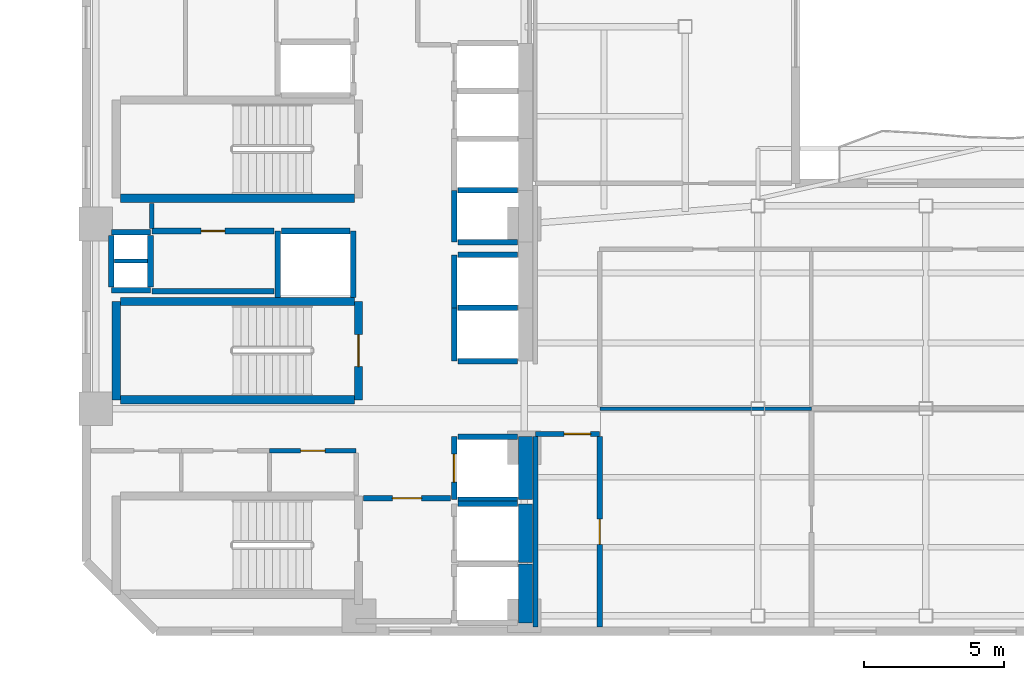
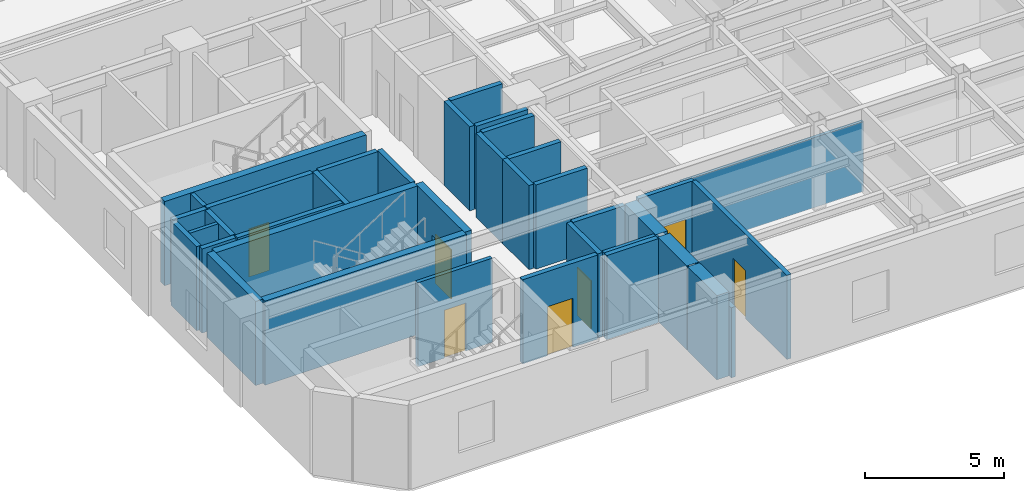
# One storey, part 3 of 10: 37 walls, 7 doors, 7 openings.
"""IFC4 building model written with IfcOpenShell, lengths in metres."""

from ifc_helpers import new_model, si_unit, direction, frame, frame_2d, origin, place, context, subcontext, project, spatial, rectangle, extrude, material, layer, layer_set, type_object, element, fill, save


model = new_model("IFC4")

# Units and contexts
model_context = context("Model", 3, precision=1e-05, world=origin(), true_north=direction((0.0, 1.0)))
body_context = subcontext(model_context, "Body", "Model", "MODEL_VIEW")
ifc_project = project(units=[si_unit("LENGTHUNIT", "METRE"), si_unit("AREAUNIT", "SQUARE_METRE"), si_unit("VOLUMEUNIT", "CUBIC_METRE"), si_unit("PLANEANGLEUNIT", "RADIAN"), si_unit("MASSUNIT", "GRAM", prefix="KILO")], contexts=[model_context])

# Site, building, storey
site_placement = place(None, origin())
site = spatial("IfcSite", under=ifc_project, at=site_placement, CompositionType="ELEMENT")
building_placement = place(site_placement, origin())
building = spatial("IfcBuilding", under=site, at=building_placement, Name="Mawjaban Terraces University", CompositionType="ELEMENT")
storey_placement = place(building_placement, frame((0.0, 0.0, 122.89990234375)))
storey = spatial("IfcBuildingStorey", under=building, at=storey_placement, Name="L29", CompositionType="ELEMENT", Elevation=122.89990234375)

# Wall, opening, door
ifc_material_1 = material(Name="Acoustic masonry blockwork", Category="masonry")
ifc_layer_1 = layer(ifc_material_1, 0.179931640625)
ifc_layer_set_1 = layer_set([ifc_layer_1], Name="Acoustic masonry blockwork")
wall_type_1 = type_object("IfcWallType", Name="AcousticStudioWall_180", PredefinedType="PARTITIONING", material=ifc_layer_set_1)
wall_1_placement = place(storey_placement, frame((38.050048828125, 7.050048828125, 0.0), z_axis=(0.0, 0.0, 1.0), x_axis=(1.0, 0.0, 0.0)))
wall_1 = element("IfcWall", 1, at=wall_1_placement, inside=storey, type_object=wall_type_1, Name="L29 Inner Gallery Link Corridor Partition 15", PredefinedType="PARTITIONING", context=body_context, shape_type="SweptSolid", body=[
    extrude(rectangle(XDim=2.300048828125, YDim=0.179931640625, at=frame_2d((1.14990234375, 0.0))), origin(), (0.0, 0.0, 1.0), 3.690185546875),
])
opening_1_placement = place(wall_1_placement, frame((1.02490234375, 0.0, 0.0)))
opening_1 = element("IfcOpeningElement", 2, at=opening_1_placement, cuts=wall_1, Name="Opening ID-095", PredefinedType="OPENING", context=body_context, shape_type="SweptSolid", body=[
    extrude(rectangle(XDim=0.949951171875, YDim=2.10009765625, at=frame_2d((0.47509765625, 1.050048828125))), frame((0.0, 0.099853515625, 0.0), z_axis=(0.0, -1.0, 0.0), x_axis=(1.0, 0.0, 0.0)), (0.0, 0.0, 1.0), 0.199951171875),
])
ifc_material_2 = material(Name="Powder-coated steel frame and solid acoustic timber leaf", Category="steel")
door_type_1 = type_object("IfcDoorType", Name="StudioDoor_950x2100", OperationType="NOTDEFINED", PredefinedType="DOOR", material=ifc_material_2)
door_1_placement = place(opening_1_placement, origin())
door_1 = element("IfcDoor", 3, at=door_1_placement, inside=storey, type_object=door_type_1, Name="L29 Media Workshop 1 Door", OperationType="SINGLE_SWING_LEFT", OverallHeight=2.10009765625, OverallWidth=0.949951171875, PredefinedType="DOOR", context=body_context, shape_type="SweptSolid", body=[
    extrude(rectangle(XDim=0.949951171875, YDim=2.10009765625, at=frame_2d((0.47509765625, 1.050048828125))), frame((0.0, 0.02490234375, 0.0), z_axis=(0.0, -1.0, 0.0), x_axis=(1.0, 0.0, 0.0)), (0.0, 0.0, 1.0), 0.050048828125),
])
fill(opening_1, door_1)

# Wall
wall_2_placement = place(storey_placement, frame((38.050048828125, 6.965087890625, 0.0), z_axis=(0.0, 0.0, 1.0), x_axis=(0.0, -1.0, 0.0)))
element("IfcWall", 4, at=wall_2_placement, inside=storey, type_object=wall_type_1, Name="L29 Media Workshop 1 Partition 39", PredefinedType="PARTITIONING", context=body_context, shape_type="SweptSolid", body=[
    extrude(rectangle(XDim=6.820068359375, YDim=0.179931640625, at=frame_2d((3.41015625, 0.0))), origin(), (0.0, 0.0, 1.0), 3.072998046875),
])

# Wall, opening, door
wall_3_placement = place(storey_placement, frame((40.35009765625, 0.14501953125, 0.0), z_axis=(0.0, 0.0, 1.0), x_axis=(0.0, 1.0, 0.0)))
wall_3 = element("IfcWall", 5, at=wall_3_placement, inside=storey, type_object=wall_type_1, Name="L29 Media Workshop 1 Partition 42", PredefinedType="PARTITIONING", context=body_context, shape_type="SweptSolid", body=[
    extrude(rectangle(XDim=6.820068359375, YDim=0.179931640625, at=frame_2d((3.41015625, 0.0))), origin(), (0.0, 0.0, 1.0), 3.690185546875),
])
opening_2_placement = place(wall_3_placement, frame((2.9599609375, 0.0, 0.0)))
opening_2 = element("IfcOpeningElement", 6, at=opening_2_placement, cuts=wall_3, Name="Opening ID-090", PredefinedType="OPENING", context=body_context, shape_type="SweptSolid", body=[
    extrude(rectangle(XDim=0.89990234375, YDim=2.10009765625, at=frame_2d((0.449951171875, 1.050048828125))), frame((0.0, 0.099853515625, 0.0), z_axis=(0.0, -1.0, 0.0), x_axis=(1.0, 0.0, 0.0)), (0.0, 0.0, 1.0), 0.199951171875),
])
door_type_2 = type_object("IfcDoorType", Name="OfficeDoor_900x2100", OperationType="NOTDEFINED", PredefinedType="DOOR", material=ifc_material_2)
door_2_placement = place(opening_2_placement, origin())
door_2 = element("IfcDoor", 7, at=door_2_placement, inside=storey, type_object=door_type_2, Name="L29 Quiet Reading Room 2 Door", OperationType="SINGLE_SWING_RIGHT", OverallHeight=2.10009765625, OverallWidth=0.89990234375, PredefinedType="DOOR", context=body_context, shape_type="SweptSolid", body=[
    extrude(rectangle(XDim=0.89990234375, YDim=2.10009765625, at=frame_2d((0.449951171875, 1.050048828125))), frame((0.0, 0.02490234375, 0.0), z_axis=(0.0, -1.0, 0.0), x_axis=(1.0, 0.0, 0.0)), (0.0, 0.0, 1.0), 0.050048828125),
])
fill(opening_2, door_2)

# Walls
ifc_material_3 = material(Name="Concrete C60/75", Category="concrete")
ifc_layer_2 = layer(ifc_material_3, 0.5)
ifc_layer_set_2 = layer_set([ifc_layer_2], Name="Concrete C60/75")
wall_type_2 = type_object("IfcWallType", Name="CoreShearWall_500", PredefinedType="SHEAR", material=ifc_layer_set_2)
wall_4_placement = place(storey_placement, frame((37.699951171875, 0.300048828125, 0.0), z_axis=(0.0, 0.0, 1.0), x_axis=(0.0, 1.0, 0.0)))
element("IfcWall", 8, at=wall_4_placement, inside=storey, type_object=wall_type_2, Name="L29 Lift FL-1 Hoistway Wall East", PredefinedType="SHEAR", context=body_context, shape_type="SweptSolid", body=[
    extrude(rectangle(XDim=2.099853515625, YDim=0.5, at=frame_2d((1.0498046875, 0.0))), origin(), (0.0, 0.0, 1.0), 3.690185546875),
])
wall_5_placement = place(storey_placement, frame((37.699951171875, 2.449951171875, 0.0), z_axis=(0.0, 0.0, 1.0), x_axis=(0.0, 1.0, 0.0)))
element("IfcWall", 9, at=wall_5_placement, inside=storey, type_object=wall_type_2, Name="L29 Lift FL-2 Hoistway Wall East", PredefinedType="SHEAR", context=body_context, shape_type="SweptSolid", body=[
    extrude(rectangle(XDim=2.10009765625, YDim=0.5, at=frame_2d((1.050048828125, 0.0))), origin(), (0.0, 0.0, 1.0), 3.690185546875),
])
wall_6_placement = place(storey_placement, frame((37.699951171875, 4.699951171875, 0.0), z_axis=(0.0, 0.0, 1.0), x_axis=(0.0, 1.0, 0.0)))
element("IfcWall", 10, at=wall_6_placement, inside=storey, type_object=wall_type_2, Name="L29 Lift SL-1 Hoistway Wall East", PredefinedType="SHEAR", context=body_context, shape_type="SweptSolid", body=[
    extrude(rectangle(XDim=2.25, YDim=0.5, at=frame_2d((1.125, 0.0))), origin(), (0.0, 0.0, 1.0), 3.690185546875),
])

# Wall, opening, door
ifc_material_4 = material(Name="Fire-rated gypsum board on steel stud", Category="steel")
ifc_layer_3 = layer(ifc_material_4, 0.159912109375)
ifc_layer_set_3 = layer_set([ifc_layer_3], Name="Fire-rated gypsum board on steel stud")
wall_type_3 = type_object("IfcWallType", Name="CorridorPartition_160", PredefinedType="PARTITIONING", material=ifc_layer_set_3)
wall_7_placement = place(storey_placement, frame((28.550048828125, 6.449951171875, 0.0), z_axis=(0.0, 0.0, 1.0), x_axis=(1.0, 0.0, 0.0)))
wall_7 = element("IfcWall", 11, at=wall_7_placement, inside=storey, type_object=wall_type_3, Name="L29 Core Washroom Lobby Partition 6", PredefinedType="PARTITIONING", context=body_context, shape_type="SweptSolid", body=[
    extrude(rectangle(XDim=3.099853515625, YDim=0.159912109375, at=frame_2d((1.5498046875, 0.0))), origin(), (0.0, 0.0, 1.0), 3.690185546875),
])
opening_3_placement = place(wall_7_placement, frame((1.110107421875, 0.0, 0.0)))
opening_3 = element("IfcOpeningElement", 12, at=opening_3_placement, cuts=wall_7, Name="Opening ID-088", PredefinedType="OPENING", context=body_context, shape_type="SweptSolid", body=[
    extrude(rectangle(XDim=0.8798828125, YDim=2.10009765625, at=frame_2d((0.43994140625, 1.050048828125))), frame((0.0, 0.08984375, 0.0), z_axis=(0.0, -1.0, 0.0), x_axis=(1.0, 0.0, 0.0)), (0.0, 0.0, 1.0), 0.179931640625),
])
door_type_3 = type_object("IfcDoorType", Name="ToiletDoor_880x2100", OperationType="NOTDEFINED", PredefinedType="DOOR", material=ifc_material_2)
door_3_placement = place(opening_3_placement, origin())
door_3 = element("IfcDoor", 13, at=door_3_placement, inside=storey, type_object=door_type_3, Name="L29 Accessible Toilet Door", OperationType="SINGLE_SWING_LEFT", OverallHeight=2.10009765625, OverallWidth=0.8798828125, PredefinedType="DOOR", context=body_context, shape_type="SweptSolid", body=[
    extrude(rectangle(XDim=0.8798828125, YDim=2.10009765625, at=frame_2d((0.43994140625, 1.050048828125))), frame((0.0, 0.02490234375, 0.0), z_axis=(0.0, -1.0, 0.0), x_axis=(1.0, 0.0, 0.0)), (0.0, 0.0, 1.0), 0.050048828125),
])
fill(opening_3, door_3)

# Walls
wall_8_placement = place(storey_placement, frame((24.35009765625, 15.2900390625, 0.0), z_axis=(0.0, 0.0, 1.0), x_axis=(0.0, -1.0, 0.0)))
element("IfcWall", 14, at=wall_8_placement, inside=storey, type_object=wall_type_3, Name="L29 Core Riser Access Passage Partition 26", PredefinedType="PARTITIONING", context=body_context, shape_type="SweptSolid", body=[
    extrude(rectangle(XDim=0.89501953125, YDim=0.159912109375, at=frame_2d((0.447509765625, 0.0))), origin(), (0.0, 0.0, 1.0), 3.690185546875),
])
ifc_material_5 = material(Name="Concrete C40/50", Category="concrete")
ifc_layer_4 = layer(ifc_material_5, 0.199951171875)
ifc_layer_set_4 = layer_set([ifc_layer_4], Name="Concrete C40/50")
wall_type_4 = type_object("IfcWallType", Name="FireLobbyWall_200", PredefinedType="SOLIDWALL", material=ifc_layer_set_4)
wall_9_placement = place(storey_placement, frame((37.419921875, 4.550048828125, 0.0), z_axis=(0.0, 0.0, 1.0), x_axis=(-1.0, 0.0, 0.0)))
element("IfcWall", 15, at=wall_9_placement, inside=storey, type_object=wall_type_4, Name="L29 Lift FL-2 Hoistway Wall North", PredefinedType="SOLIDWALL", context=body_context, shape_type="SweptSolid", body=[
    extrude(rectangle(XDim=2.139892578125, YDim=0.199951171875, at=frame_2d((1.06982421875, 0.0))), origin(), (0.0, 0.0, 1.0), 3.690185546875),
])

# Wall, opening, door
wall_10_placement = place(storey_placement, frame((35.14990234375, 6.949951171875, 0.0), z_axis=(0.0, 0.0, 1.0), x_axis=(0.0, -1.0, 0.0)))
wall_10 = element("IfcWall", 16, at=wall_10_placement, inside=storey, type_object=wall_type_4, Name="L29 Lift SL-1 Hoistway Wall West", PredefinedType="SOLIDWALL", context=body_context, shape_type="SweptSolid", body=[
    extrude(rectangle(XDim=2.25, YDim=0.199951171875, at=frame_2d((1.125, 0.0))), origin(), (0.0, 0.0, 1.0), 3.690185546875),
])
opening_4_placement = place(wall_10_placement, frame((0.625, 0.0, 0.0)))
opening_4 = element("IfcOpeningElement", 17, at=opening_4_placement, cuts=wall_10, Name="Opening LD-SL-1", PredefinedType="OPENING", context=body_context, shape_type="SweptSolid", body=[
    extrude(rectangle(XDim=1.0, YDim=2.10009765625, at=frame_2d((0.5, 1.050048828125))), frame((0.0, 0.10986328125, 0.0), z_axis=(0.0, -1.0, 0.0), x_axis=(1.0, 0.0, 0.0)), (0.0, 0.0, 1.0), 0.219970703125),
])
ifc_material_6 = material(Name="Powder-coated steel frame and fire-rated steel-faced leaf", Category="steel")
door_type_4 = type_object("IfcDoorType", Name="LiftLandingSliding_1000x2100", OperationType="NOTDEFINED", PredefinedType="DOOR", material=ifc_material_6)
door_4_placement = place(opening_4_placement, origin())
door_4 = element("IfcDoor", 18, at=door_4_placement, inside=storey, type_object=door_type_4, Name="L29 Lift SL-1 Sliding Landing Door", OperationType="DOUBLE_DOOR_SLIDING", OverallHeight=2.10009765625, OverallWidth=1.0, PredefinedType="DOOR", context=body_context, shape_type="SweptSolid", body=[
    extrude(rectangle(XDim=1.0, YDim=2.10009765625, at=frame_2d((0.5, 1.050048828125))), frame((0.0, 0.02490234375, 0.0), z_axis=(0.0, -1.0, 0.0), x_axis=(1.0, 0.0, 0.0)), (0.0, 0.0, 1.0), 0.050048828125),
])
fill(opening_4, door_4)

# Walls
for number, where, z_axis, x_axis, name in (
    (19, (35.280029296875, 4.699951171875, 0.0), (0.0, 0.0, 1.0), (1.0, 0.0, 0.0), "L29 Lift SL-1 Hoistway Wall South"),
    (20, (37.419921875, 6.949951171875, 0.0), (0.0, 0.0, 1.0), (-1.0, 0.0, 0.0), "L29 Lift SL-1 Hoistway Wall North"),
):
    element("IfcWall", number, at=place(storey_placement, frame(where, z_axis=z_axis, x_axis=x_axis)), inside=storey, type_object=wall_type_4, Name=name, PredefinedType="SOLIDWALL", context=body_context, shape_type="SweptSolid", body=[
        extrude(rectangle(XDim=2.139892578125, YDim=0.199951171875, at=frame_2d((1.06982421875, 0.0))), origin(), (0.0, 0.0, 1.0), 3.690185546875),
    ])
wall_11_placement = place(storey_placement, frame((35.14990234375, 11.550048828125, 0.0), z_axis=(0.0, 0.0, 1.0), x_axis=(0.0, -1.0, 0.0)))
element("IfcWall", 21, at=wall_11_placement, inside=storey, type_object=wall_type_4, Name="L29 Lift PL-H1 Hoistway Wall West", PredefinedType="SOLIDWALL", context=body_context, shape_type="SweptSolid", body=[
    extrude(rectangle(XDim=1.900146484375, YDim=0.199951171875, at=frame_2d((0.9501953125, 0.0))), origin(), (0.0, 0.0, 1.0), 3.690185546875),
])
for number, where, z_axis, x_axis, name in (
    (22, (35.280029296875, 9.64990234375, 0.0), (0.0, 0.0, 1.0), (1.0, 0.0, 0.0), "L29 Lift PL-H1 Hoistway Wall South"),
    (23, (37.419921875, 11.550048828125, 0.0), (0.0, 0.0, 1.0), (-1.0, 0.0, 0.0), "L29 Lift PL-H1 Hoistway Wall North"),
):
    element("IfcWall", number, at=place(storey_placement, frame(where, z_axis=z_axis, x_axis=x_axis)), inside=storey, type_object=wall_type_4, Name=name, PredefinedType="SOLIDWALL", context=body_context, shape_type="SweptSolid", body=[
        extrude(rectangle(XDim=2.139892578125, YDim=0.199951171875, at=frame_2d((1.06982421875, 0.0))), origin(), (0.0, 0.0, 1.0), 3.690185546875),
    ])
wall_12_placement = place(storey_placement, frame((35.14990234375, 13.449951171875, 0.0), z_axis=(0.0, 0.0, 1.0), x_axis=(0.0, -1.0, 0.0)))
element("IfcWall", 24, at=wall_12_placement, inside=storey, type_object=wall_type_4, Name="L29 Lift PL-H2 Hoistway Wall West", PredefinedType="SOLIDWALL", context=body_context, shape_type="SweptSolid", body=[
    extrude(rectangle(XDim=1.89990234375, YDim=0.199951171875, at=frame_2d((0.949951171875, 0.0))), origin(), (0.0, 0.0, 1.0), 3.690185546875),
])
wall_13_placement = place(storey_placement, frame((37.419921875, 13.449951171875, 0.0), z_axis=(0.0, 0.0, 1.0), x_axis=(-1.0, 0.0, 0.0)))
element("IfcWall", 25, at=wall_13_placement, inside=storey, type_object=wall_type_4, Name="L29 Lift PL-H2 Hoistway Wall North", PredefinedType="SOLIDWALL", context=body_context, shape_type="SweptSolid", body=[
    extrude(rectangle(XDim=2.139892578125, YDim=0.199951171875, at=frame_2d((1.06982421875, 0.0))), origin(), (0.0, 0.0, 1.0), 3.690185546875),
])
for number, where, z_axis, x_axis, name in (
    (26, (28.85009765625, 14.300048828125, 0.0), (0.0, 0.0, 1.0), (0.0, -1.0, 0.0), "L29 Lift PL-H3 Hoistway Wall West"),
    (27, (31.550048828125, 11.929931640625, 0.0), (0.0, 0.0, 1.0), (0.0, 1.0, 0.0), "L29 Lift PL-H3 Hoistway Wall East"),
):
    element("IfcWall", number, at=place(storey_placement, frame(where, z_axis=z_axis, x_axis=x_axis)), inside=storey, type_object=wall_type_4, Name=name, PredefinedType="SOLIDWALL", context=body_context, shape_type="SweptSolid", body=[
        extrude(rectangle(XDim=2.3701171875, YDim=0.199951171875, at=frame_2d((1.18505859375, 0.0))), origin(), (0.0, 0.0, 1.0), 3.690185546875),
    ])
wall_14_placement = place(storey_placement, frame((31.419921875, 14.300048828125, 0.0), z_axis=(0.0, 0.0, 1.0), x_axis=(-1.0, 0.0, 0.0)))
element("IfcWall", 28, at=wall_14_placement, inside=storey, type_object=wall_type_4, Name="L29 Lift PL-H3 Hoistway Wall North", PredefinedType="SOLIDWALL", context=body_context, shape_type="SweptSolid", body=[
    extrude(rectangle(XDim=2.43994140625, YDim=0.199951171875, at=frame_2d((1.219970703125, 0.0))), origin(), (0.0, 0.0, 1.0), 3.690185546875),
])
wall_15_placement = place(storey_placement, frame((35.14990234375, 15.75, 0.0), z_axis=(0.0, 0.0, 1.0), x_axis=(0.0, -1.0, 0.0)))
element("IfcWall", 29, at=wall_15_placement, inside=storey, type_object=wall_type_4, Name="L29 Lift OL-1 Hoistway Wall West", PredefinedType="SOLIDWALL", context=body_context, shape_type="SweptSolid", body=[
    extrude(rectangle(XDim=1.85009765625, YDim=0.199951171875, at=frame_2d((0.925048828125, 0.0))), origin(), (0.0, 0.0, 1.0), 3.690185546875),
])
for number, where, z_axis, x_axis, name in (
    (30, (35.280029296875, 13.89990234375, 0.0), (0.0, 0.0, 1.0), (1.0, 0.0, 0.0), "L29 Lift OL-1 Hoistway Wall South"),
    (31, (37.419921875, 15.75, 0.0), (0.0, 0.0, 1.0), (-1.0, 0.0, 0.0), "L29 Lift OL-1 Hoistway Wall North"),
):
    element("IfcWall", number, at=place(storey_placement, frame(where, z_axis=z_axis, x_axis=x_axis)), inside=storey, type_object=wall_type_4, Name=name, PredefinedType="SOLIDWALL", context=body_context, shape_type="SweptSolid", body=[
        extrude(rectangle(XDim=2.139892578125, YDim=0.199951171875, at=frame_2d((1.06982421875, 0.0))), origin(), (0.0, 0.0, 1.0), 3.690185546875),
    ])
for number, where, z_axis, x_axis, name in (
    (32, (22.89990234375, 14.25, 0.0), (0.0, 0.0, 1.0), (1.0, 0.0, 0.0), "L29 MEP Riser Shaft Wall N"),
    (33, (22.89990234375, 12.179931640625, 0.0), (0.0, 0.0, 1.0), (1.0, 0.0, 0.0), "L29 MEP Riser Shaft Wall S"),
):
    element("IfcWall", number, at=place(storey_placement, frame(where, z_axis=z_axis, x_axis=x_axis)), inside=storey, type_object=wall_type_4, Name=name, PredefinedType="SOLIDWALL", context=body_context, shape_type="SweptSolid", body=[
        extrude(rectangle(XDim=1.400146484375, YDim=0.199951171875, at=frame_2d((0.7001953125, 0.0))), origin(), (0.0, 0.0, 1.0), 3.690185546875),
    ])
for number, where, z_axis, x_axis, name in (
    (34, (24.300048828125, 12.300048828125, 0.0), (0.0, 0.0, 1.0), (0.0, 1.0, 0.0), "L29 MEP Riser Shaft Wall E"),
    (35, (22.89990234375, 12.300048828125, 0.0), (0.0, 0.0, 1.0), (0.0, 1.0, 0.0), "L29 MEP Riser Shaft Wall W"),
):
    element("IfcWall", number, at=place(storey_placement, frame(where, z_axis=z_axis, x_axis=x_axis)), inside=storey, type_object=wall_type_4, Name=name, PredefinedType="SOLIDWALL", context=body_context, shape_type="SweptSolid", body=[
        extrude(rectangle(XDim=1.829833984375, YDim=0.199951171875, at=frame_2d((0.9150390625, 0.0))), origin(), (0.0, 0.0, 1.0), 3.690185546875),
    ])
wall_16_placement = place(storey_placement, frame((24.35009765625, 12.14990234375, 0.0), z_axis=(0.0, 0.0, 1.0), x_axis=(1.0, 0.0, 0.0)))
element("IfcWall", 36, at=wall_16_placement, inside=storey, type_object=wall_type_4, Name="L29 IT and Telecoms Riser Room Partition 2", PredefinedType="SOLIDWALL", context=body_context, shape_type="SweptSolid", body=[
    extrude(rectangle(XDim=4.369873046875, YDim=0.199951171875, at=frame_2d((2.18505859375, 0.0))), origin(), (0.0, 0.0, 1.0), 3.690185546875),
])

# Wall, opening, door
wall_17_placement = place(storey_placement, frame((24.35009765625, 14.300048828125, 0.0), z_axis=(0.0, 0.0, 1.0), x_axis=(1.0, 0.0, 0.0)))
wall_17 = element("IfcWall", 37, at=wall_17_placement, inside=storey, type_object=wall_type_4, Name="L29 Core Riser Access Passage Partition 3", PredefinedType="SOLIDWALL", context=body_context, shape_type="SweptSolid", body=[
    extrude(rectangle(XDim=4.369873046875, YDim=0.199951171875, at=frame_2d((2.18505859375, 0.0))), origin(), (0.0, 0.0, 1.0), 3.690185546875),
])
opening_5_placement = place(wall_17_placement, frame((1.760009765625, 0.0, 0.0)))
opening_5 = element("IfcOpeningElement", 38, at=opening_5_placement, cuts=wall_17, Name="Opening FD-085", PredefinedType="OPENING", context=body_context, shape_type="SweptSolid", body=[
    extrude(rectangle(XDim=0.85009765625, YDim=2.10009765625, at=frame_2d((0.425048828125, 1.050048828125))), frame((0.0, 0.10986328125, 0.0), z_axis=(0.0, -1.0, 0.0), x_axis=(1.0, 0.0, 0.0)), (0.0, 0.0, 1.0), 0.219970703125),
])
door_type_5 = type_object("IfcDoorType", Name="FireRiserDoor_850x2100", OperationType="NOTDEFINED", PredefinedType="DOOR", material=ifc_material_6)
door_5_placement = place(opening_5_placement, origin())
door_5 = element("IfcDoor", 39, at=door_5_placement, inside=storey, type_object=door_type_5, Name="L29 IT and Telecoms Riser Room Door", OperationType="SINGLE_SWING_RIGHT", OverallHeight=2.10009765625, OverallWidth=0.85009765625, PredefinedType="DOOR", context=body_context, shape_type="SweptSolid", body=[
    extrude(rectangle(XDim=0.85009765625, YDim=2.10009765625, at=frame_2d((0.425048828125, 1.050048828125))), frame((0.0, 0.02490234375, 0.0), z_axis=(0.0, -1.0, 0.0), x_axis=(1.0, 0.0, 0.0)), (0.0, 0.0, 1.0), 0.050048828125),
])
fill(opening_5, door_5)

wall_18_placement = place(storey_placement, frame((35.02001953125, 4.75, 0.0), z_axis=(0.0, 0.0, 1.0), x_axis=(-1.0, 0.0, 0.0)))
wall_18 = element("IfcWall", 40, at=wall_18_placement, inside=storey, type_object=wall_type_4, Name="L29 Firefighting Lift Lobby Partition 10", PredefinedType="SOLIDWALL", context=body_context, shape_type="SweptSolid", body=[
    extrude(rectangle(XDim=3.110107421875, YDim=0.199951171875, at=frame_2d((1.55517578125, 0.0))), origin(), (0.0, 0.0, 1.0), 3.690185546875),
])
opening_6_placement = place(wall_18_placement, frame((1.030029296875, 0.0, 0.0)))
opening_6 = element("IfcOpeningElement", 41, at=opening_6_placement, cuts=wall_18, Name="Opening FD-105", PredefinedType="OPENING", context=body_context, shape_type="SweptSolid", body=[
    extrude(rectangle(XDim=1.050048828125, YDim=2.14990234375, at=frame_2d((0.52490234375, 1.074951171875))), frame((0.0, 0.10986328125, 0.0), z_axis=(0.0, -1.0, 0.0), x_axis=(1.0, 0.0, 0.0)), (0.0, 0.0, 1.0), 0.219970703125),
])
door_type_6 = type_object("IfcDoorType", Name="FireLobbyDoor_1050x2150", OperationType="NOTDEFINED", PredefinedType="DOOR", material=ifc_material_6)
door_6_placement = place(opening_6_placement, origin())
door_6 = element("IfcDoor", 42, at=door_6_placement, inside=storey, type_object=door_type_6, Name="L29 Firefighting Lift Lobby Door", OperationType="SINGLE_SWING_RIGHT", OverallHeight=2.14990234375, OverallWidth=1.050048828125, PredefinedType="DOOR", context=body_context, shape_type="SweptSolid", body=[
    extrude(rectangle(XDim=1.050048828125, YDim=2.14990234375, at=frame_2d((0.52490234375, 1.074951171875))), frame((0.0, 0.02490234375, 0.0), z_axis=(0.0, -1.0, 0.0), x_axis=(1.0, 0.0, 0.0)), (0.0, 0.0, 1.0), 0.050048828125),
])
fill(opening_6, door_6)

# Walls
ifc_material_7 = material(Name="Moisture-resistant gypsum board on steel stud", Category="steel")
ifc_layer_5 = layer(ifc_material_7, 0.14501953125)
ifc_layer_set_5 = layer_set([ifc_layer_5], Name="Moisture-resistant gypsum board on steel stud")
wall_type_5 = type_object("IfcWallType", Name="LabPartition_145", PredefinedType="PARTITIONING", material=ifc_layer_set_5)
wall_19_placement = place(storey_placement, frame((23.010009765625, 13.22509765625, 0.0), z_axis=(0.0, 0.0, 1.0), x_axis=(1.0, 0.0, 0.0)))
element("IfcWall", 43, at=wall_19_placement, inside=storey, type_object=wall_type_5, Name="L29 MEP Riser Shaft Wall M", PredefinedType="PARTITIONING", context=body_context, shape_type="SweptSolid", body=[
    extrude(rectangle(XDim=1.179931640625, YDim=0.14501953125, at=frame_2d((0.58984375, 0.0))), origin(), (0.0, 0.0, 1.0), 3.690185546875),
])
ifc_material_8 = material(Name="Gypsum plasterboard on steel stud", Category="steel")
ifc_layer_6 = layer(ifc_material_8, 0.125)
ifc_layer_set_6 = layer_set([ifc_layer_6], Name="Gypsum plasterboard on steel stud")
wall_type_6 = type_object("IfcWallType", Name="OfficePartition_125", PredefinedType="PARTITIONING", material=ifc_layer_set_6)
wall_20_placement = place(storey_placement, frame((47.909912109375, 7.949951171875, 0.0), z_axis=(0.0, 0.0, 1.0), x_axis=(-1.0, 0.0, 0.0)))
element("IfcWall", 44, at=wall_20_placement, inside=storey, type_object=wall_type_6, Name="L29 Quiet Reading Room 2 Partition 19", PredefinedType="PARTITIONING", context=body_context, shape_type="SweptSolid", body=[
    extrude(rectangle(XDim=7.559814453125, YDim=0.125, at=frame_2d((3.77978515625, 0.0))), origin(), (0.0, 0.0, 1.0), 3.072998046875),
])
ifc_layer_7 = layer(ifc_material_3, 0.300048828125)
ifc_layer_set_7 = layer_set([ifc_layer_7], Name="Concrete C60/75")
wall_type_7 = type_object("IfcWallType", Name="StairShaftWall_300", PredefinedType="SHEAR", material=ifc_layer_set_7)
for number, where, z_axis, x_axis, name in (
    (45, (23.219970703125, 15.469970703125, 0.0), (0.0, 0.0, 1.0), (1.0, 0.0, 0.0), "L29 ST-2 Stair Shaft Wall 3"),
    (46, (31.580078125, 11.780029296875, 0.0), (0.0, 0.0, 1.0), (-1.0, 0.0, 0.0), "L29 ST-3 Stair Shaft Wall 1"),
):
    element("IfcWall", number, at=place(storey_placement, frame(where, z_axis=z_axis, x_axis=x_axis)), inside=storey, type_object=wall_type_7, Name=name, PredefinedType="SHEAR", context=body_context, shape_type="SweptSolid", body=[
        extrude(rectangle(XDim=8.360107421875, YDim=0.300048828125, at=frame_2d((4.18017578125, 0.0))), origin(), (0.0, 0.0, 1.0), 3.690185546875),
    ])
wall_21_placement = place(storey_placement, frame((23.070068359375, 11.780029296875, 0.0), z_axis=(0.0, 0.0, 1.0), x_axis=(0.0, -1.0, 0.0)))
element("IfcWall", 47, at=wall_21_placement, inside=storey, type_object=wall_type_7, Name="L29 ST-3 Stair Shaft Wall 2", PredefinedType="SHEAR", context=body_context, shape_type="SweptSolid", body=[
    extrude(rectangle(XDim=3.510009765625, YDim=0.300048828125, at=frame_2d((1.7548828125, 0.0))), origin(), (0.0, 0.0, 1.0), 3.690185546875),
])
wall_22_placement = place(storey_placement, frame((23.219970703125, 8.27001953125, 0.0), z_axis=(0.0, 0.0, 1.0), x_axis=(1.0, 0.0, 0.0)))
element("IfcWall", 48, at=wall_22_placement, inside=storey, type_object=wall_type_7, Name="L29 ST-3 Stair Shaft Wall 3", PredefinedType="SHEAR", context=body_context, shape_type="SweptSolid", body=[
    extrude(rectangle(XDim=8.360107421875, YDim=0.300048828125, at=frame_2d((4.18017578125, 0.0))), origin(), (0.0, 0.0, 1.0), 3.690185546875),
])

# Wall, opening, door
wall_23_placement = place(storey_placement, frame((31.72998046875, 8.27001953125, 0.0), z_axis=(0.0, 0.0, 1.0), x_axis=(0.0, 1.0, 0.0)))
wall_23 = element("IfcWall", 49, at=wall_23_placement, inside=storey, type_object=wall_type_7, Name="L29 ST-3 Stair Shaft Wall 4", PredefinedType="SHEAR", context=body_context, shape_type="SweptSolid", body=[
    extrude(rectangle(XDim=3.510009765625, YDim=0.300048828125, at=frame_2d((1.7548828125, 0.0))), origin(), (0.0, 0.0, 1.0), 3.690185546875),
])
opening_7_placement = place(wall_23_placement, frame((1.179931640625, 0.0, 0.0)))
opening_7 = element("IfcOpeningElement", 50, at=opening_7_placement, cuts=wall_23, Name="Opening FD-115", PredefinedType="OPENING", context=body_context, shape_type="SweptSolid", body=[
    extrude(rectangle(XDim=1.14990234375, YDim=2.14990234375, at=frame_2d((0.574951171875, 1.074951171875))), frame((0.0, 0.159912109375, 0.0), z_axis=(0.0, -1.0, 0.0), x_axis=(1.0, 0.0, 0.0)), (0.0, 0.0, 1.0), 0.320068359375),
])
door_type_7 = type_object("IfcDoorType", Name="FireStairDoor_1150x2150", OperationType="NOTDEFINED", PredefinedType="DOOR", material=ifc_material_6)
door_7_placement = place(opening_7_placement, origin())
door_7 = element("IfcDoor", 51, at=door_7_placement, inside=storey, type_object=door_type_7, Name="L29 ST-3 Pressurised Stair Fire Door", OperationType="SINGLE_SWING_LEFT", OverallHeight=2.14990234375, OverallWidth=1.14990234375, PredefinedType="DOOR", context=body_context, shape_type="SweptSolid", body=[
    extrude(rectangle(XDim=1.14990234375, YDim=2.14990234375, at=frame_2d((0.574951171875, 1.074951171875))), frame((0.0, 0.02490234375, 0.0), z_axis=(0.0, -1.0, 0.0), x_axis=(1.0, 0.0, 0.0)), (0.0, 0.0, 1.0), 0.050048828125),
])
fill(opening_7, door_7)

save(model, "model.ifc")
